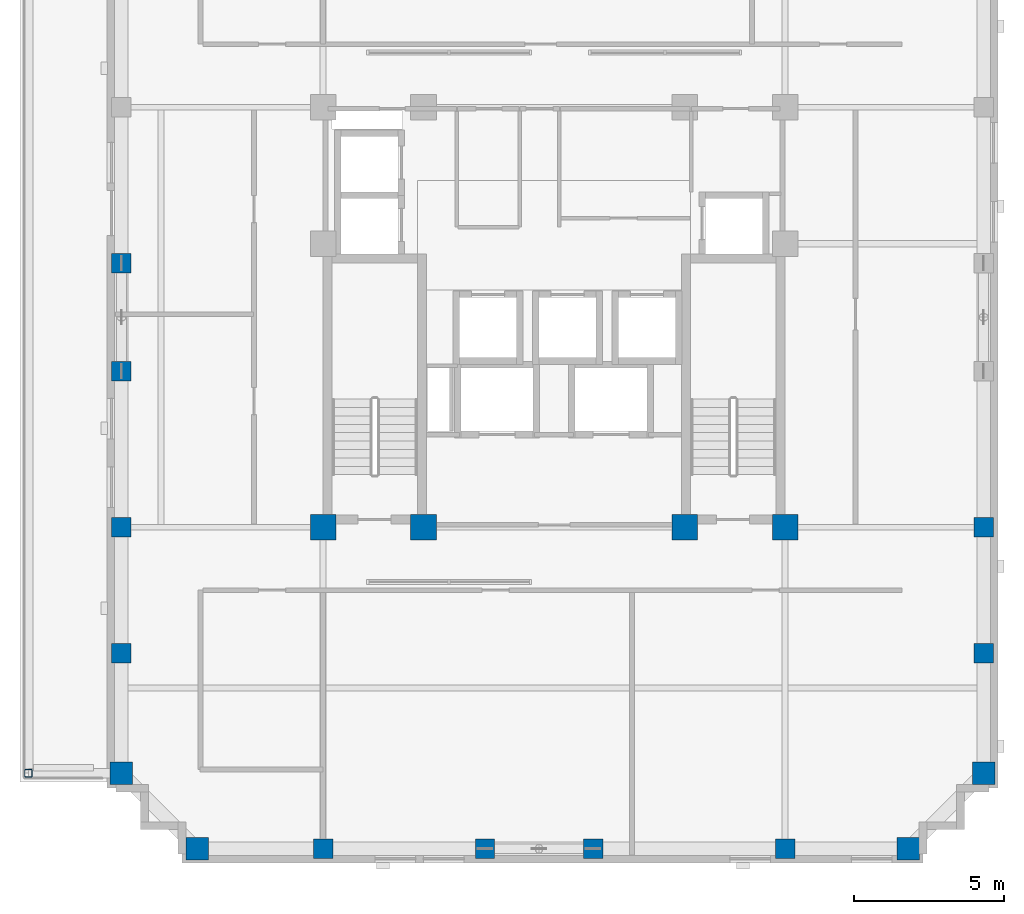
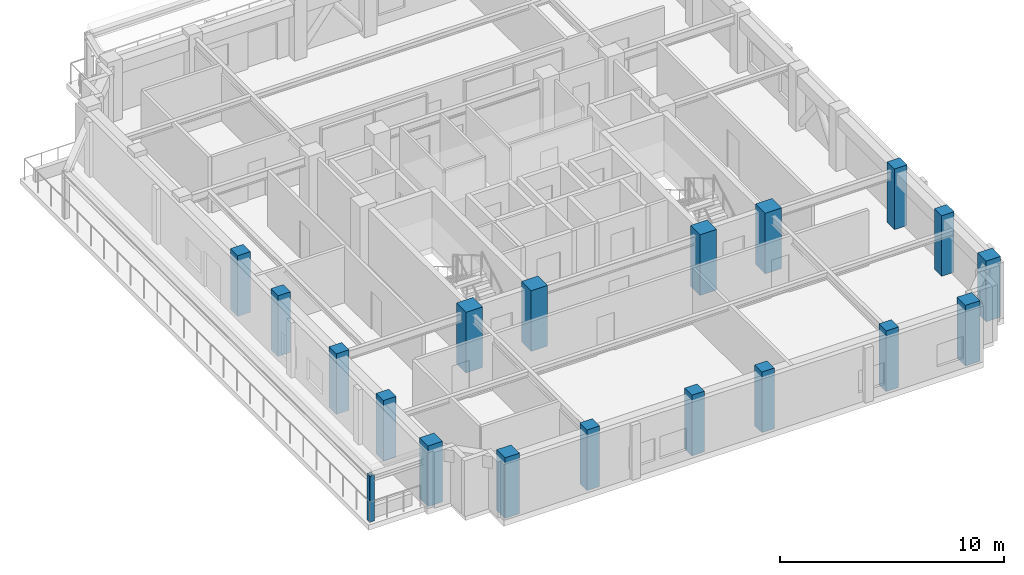
# One storey, part 1 of 14: 19 columns.
"""IFC4 building model written with IfcOpenShell, lengths in metres."""

from ifc_helpers import new_model, si_unit, derived_unit, direction, frame, origin, origin_2d, place, context, subcontext, project, spatial, rectangle, hollow_rectangle, extrude, material, material_profile, profile_set, type_object, element, save


model = new_model("IFC4")

# Units and contexts
model_context = context("Model", 3, precision=1e-05, world=origin(), true_north=direction((0.0, 1.0)))
body_context = subcontext(model_context, "Body", "Model", "MODEL_VIEW")
ifc_project = project(units=[si_unit("LENGTHUNIT", "METRE"), si_unit("AREAUNIT", "SQUARE_METRE"), si_unit("VOLUMEUNIT", "CUBIC_METRE"), si_unit("PLANEANGLEUNIT", "RADIAN"), si_unit("MASSUNIT", "GRAM", prefix="KILO"), derived_unit("THERMALTRANSMITTANCEUNIT", [(si_unit("MASSUNIT", "GRAM", prefix="KILO"), 1), (si_unit("TIMEUNIT", "SECOND"), -3), (si_unit("THERMODYNAMICTEMPERATUREUNIT", "KELVIN"), -1)])], contexts=[model_context])

# Site, building, storey
site_placement = place(None, origin())
site = spatial("IfcSite", under=ifc_project, at=site_placement, CompositionType="ELEMENT")
building_placement = place(site_placement, origin())
building = spatial("IfcBuilding", under=site, at=building_placement, Name="Korrvale Station Residences", CompositionType="ELEMENT")
storey_placement = place(building_placement, frame((0.0, 0.0, 174.39990234375)))
storey = spatial("IfcBuildingStorey", under=building, at=storey_placement, Name="L50", CompositionType="ELEMENT", Elevation=174.39990234375)

# Columns
ifc_material_1 = material(Name="Steel S355", Category="steel")
ifc_material_profile_1 = material_profile(ifc_material_1, hollow_rectangle(XDim=0.25390625, YDim=0.25390625, WallThickness=0.0126953125, InnerFilletRadius=0.0126953125, OuterFilletRadius=0.025390625, at=origin_2d()), Name="HSS254x254x13")
ifc_profile_set_1 = profile_set([ifc_material_profile_1], Name="Steel S355")
column_type_1 = type_object("IfcColumnType", Name="COL-C-HSS254x254x13-S355", PredefinedType="COLUMN", material=ifc_profile_set_1)
column_placement = place(storey_placement, frame((7.97998046875, 6.800048828125, 0.0), z_axis=(0.0, 0.0, 1.0), x_axis=(1.0, 0.0, 0.0)))
element("IfcColumn", 1, at=column_placement, inside=storey, type_object=column_type_1, Name="L50 Setback Canopy Frame Post 1", PredefinedType="COLUMN", context=body_context, shape_type="SweptSolid", body=[
    extrude(hollow_rectangle(XDim=0.25390625, YDim=0.25390625, WallThickness=0.0126953125, InnerFilletRadius=0.0126953125, OuterFilletRadius=0.025390625, at=origin_2d()), origin(), (0.0, 0.0, 1.0), 2.5),
])
ifc_material_2 = material(Name="Concrete C50/60", Category="concrete")
ifc_material_profile_2 = material_profile(ifc_material_2, rectangle(XDim=0.64990234375, YDim=0.64990234375, at=origin_2d()), Name="RC650x650")
ifc_profile_set_2 = profile_set([ifc_material_profile_2], Name="Concrete C50/60")
column_type_2 = type_object("IfcColumnType", Name="COL-C-RC650x650-C5060", PredefinedType="COLUMN", material=ifc_profile_set_2)
for number, where, z_axis, x_axis, name in (
    (2, (17.800048828125, 4.280029296875, 0.0), (0.0, 0.0, 1.0), (1.0, 0.0, 0.0), "L50 Bundled-Tube South Column 02"),
    (3, (23.199951171875, 4.280029296875, 0.0), (0.0, 0.0, 1.0), (1.0, 0.0, 0.0), "L50 Bundled-Tube South Column 03"),
    (4, (26.800048828125, 4.280029296875, 0.0), (0.0, 0.0, 1.0), (1.0, 0.0, 0.0), "L50 Bundled-Tube South Column 04"),
    (5, (33.199951171875, 4.280029296875, 0.0), (0.0, 0.0, 1.0), (1.0, 0.0, 0.0), "L50 Bundled-Tube South Column 05"),
    (6, (11.080078125, 10.800048828125, 0.0), (0.0, 0.0, 1.0), (1.0, 0.0, 0.0), "L50 Bundled-Tube West Column 14"),
    (7, (11.080078125, 15.0, 0.0), (0.0, 0.0, 1.0), (1.0, 0.0, 0.0), "L50 Bundled-Tube West Column 15"),
    (8, (11.080078125, 20.199951171875, 0.0), (0.0, 0.0, 1.0), (1.0, 0.0, 0.0), "L50 Bundled-Tube West Column 16"),
    (9, (11.080078125, 23.800048828125, 0.0), (0.0, 0.0, 1.0), (1.0, 0.0, 0.0), "L50 Bundled-Tube West Column 17"),
    (10, (39.820068359375, 10.800048828125, 0.0), (0.0, 0.0, 1.0), (1.0, 0.0, 0.0), "L50 Bundled-Tube East Column 22"),
    (11, (39.820068359375, 15.0, 0.0), (0.0, 0.0, 1.0), (1.0, 0.0, 0.0), "L50 Bundled-Tube East Column 23"),
):
    element("IfcColumn", number, at=place(storey_placement, frame(where, z_axis=z_axis, x_axis=x_axis)), inside=storey, type_object=column_type_2, Name=name, PredefinedType="COLUMN", context=body_context, shape_type="SweptSolid", body=[
        extrude(rectangle(XDim=0.64990234375, YDim=0.64990234375, at=origin_2d()), origin(), (0.0, 0.0, 1.0), 3.300048828125),
    ])
ifc_material_profile_3 = material_profile(ifc_material_2, rectangle(XDim=0.75, YDim=0.75, at=origin_2d()), Name="RC750x750")
ifc_profile_set_3 = profile_set([ifc_material_profile_3], Name="Concrete C50/60")
column_type_3 = type_object("IfcColumnType", Name="COL-C-RC750x750-C5060", PredefinedType="COLUMN", material=ifc_profile_set_3)
for number, where, z_axis, x_axis, name in (
    (12, (13.60009765625, 4.280029296875, 0.0), (0.0, 0.0, 1.0), (1.0, 0.0, 0.0), "L50 Bundled-Tube South Column 01"),
    (13, (37.300048828125, 4.280029296875, 0.0), (0.0, 0.0, 1.0), (1.0, 0.0, 0.0), "L50 Bundled-Tube South Column 06"),
    (14, (11.080078125, 6.800048828125, 0.0), (0.0, 0.0, 1.0), (1.0, 0.0, 0.0), "L50 Bundled-Tube West Column 13"),
    (15, (39.820068359375, 6.800048828125, 0.0), (0.0, 0.0, 1.0), (1.0, 0.0, 0.0), "L50 Bundled-Tube East Column 21"),
):
    element("IfcColumn", number, at=place(storey_placement, frame(where, z_axis=z_axis, x_axis=x_axis)), inside=storey, type_object=column_type_3, Name=name, PredefinedType="COLUMN", context=body_context, shape_type="SweptSolid", body=[
        extrude(rectangle(XDim=0.75, YDim=0.75, at=origin_2d()), origin(), (0.0, 0.0, 1.0), 3.300048828125),
    ])
ifc_material_profile_4 = material_profile(ifc_material_2, rectangle(XDim=0.85009765625, YDim=0.85009765625, at=origin_2d()), Name="RC850x850")
ifc_profile_set_4 = profile_set([ifc_material_profile_4], Name="Concrete C50/60")
column_type_4 = type_object("IfcColumnType", Name="COL-C-RC850x850-C5060", PredefinedType="COLUMN", material=ifc_profile_set_4)
for number, where, z_axis, x_axis, name in (
    (16, (17.800048828125, 15.0, 0.0), (0.0, 0.0, 1.0), (1.0, 0.0, 0.0), "L50 Core Column 01"),
    (17, (21.14990234375, 15.0, 0.0), (0.0, 0.0, 1.0), (1.0, 0.0, 0.0), "L50 Core Column 02"),
    (18, (29.85009765625, 15.0, 0.0), (0.0, 0.0, 1.0), (1.0, 0.0, 0.0), "L50 Core Column 03"),
    (19, (33.199951171875, 15.0, 0.0), (0.0, 0.0, 1.0), (1.0, 0.0, 0.0), "L50 Core Column 04"),
):
    element("IfcColumn", number, at=place(storey_placement, frame(where, z_axis=z_axis, x_axis=x_axis)), inside=storey, type_object=column_type_4, Name=name, PredefinedType="COLUMN", context=body_context, shape_type="SweptSolid", body=[
        extrude(rectangle(XDim=0.85009765625, YDim=0.85009765625, at=origin_2d()), origin(), (0.0, 0.0, 1.0), 3.300048828125),
    ])

save(model, "model.ifc")
